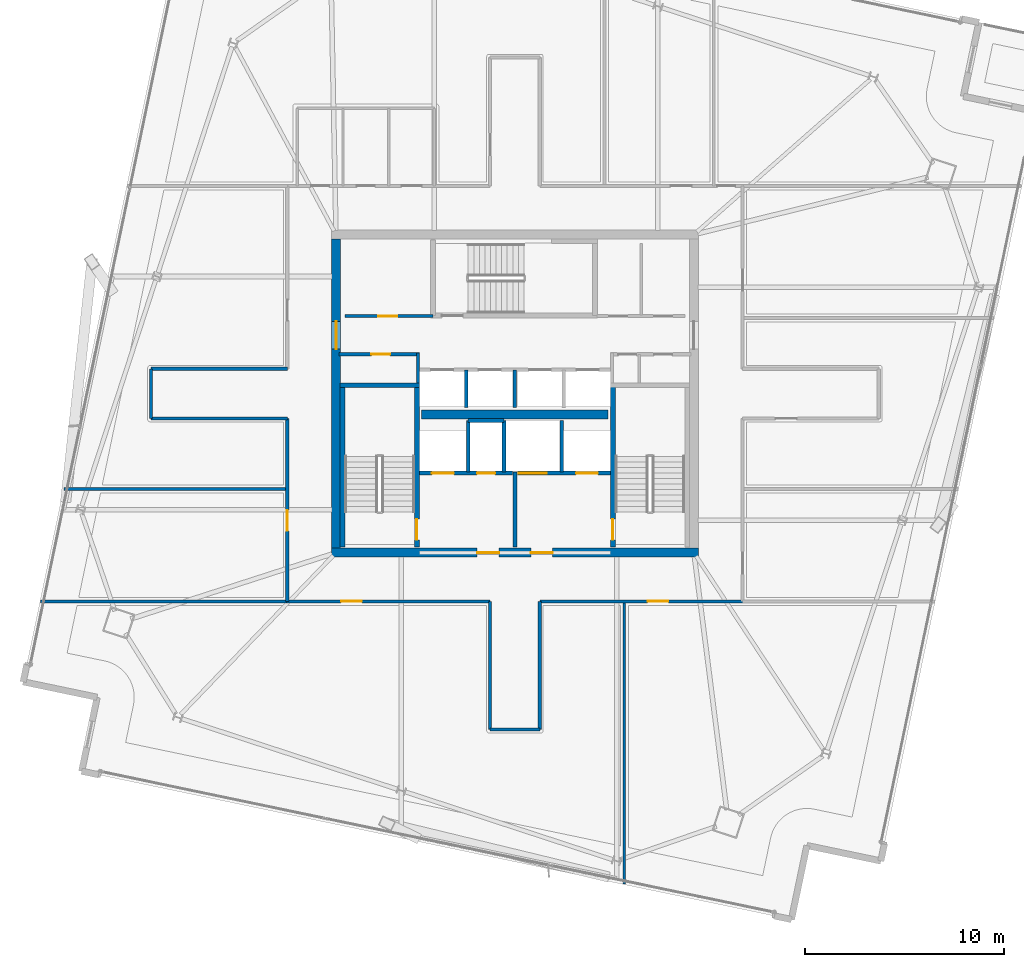
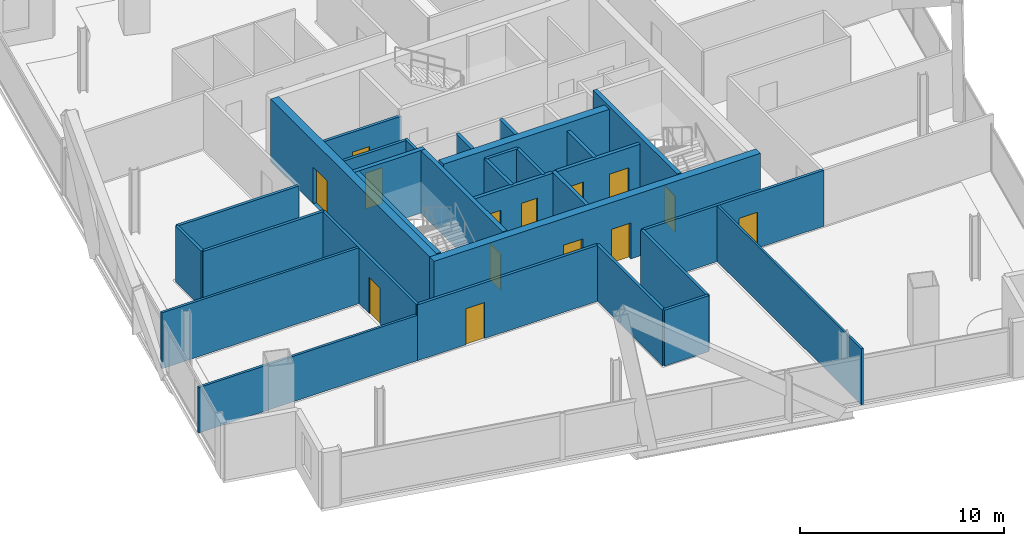
# One storey, part 18 of 24: 31 walls, 14 doors, 14 openings.
"""IFC4 building model written with IfcOpenShell, lengths in metres."""

from ifc_helpers import new_model, si_unit, direction, frame, frame_2d, origin, place, context, subcontext, project, spatial, rectangle, extrude, material, layer, layer_set, type_object, element, fill, save


model = new_model("IFC4")

# Units and contexts
model_context = context("Model", 3, precision=1e-05, world=origin(), true_north=direction((0.0, 1.0)))
body_context = subcontext(model_context, "Body", "Model", "MODEL_VIEW")
ifc_project = project(units=[si_unit("LENGTHUNIT", "METRE"), si_unit("AREAUNIT", "SQUARE_METRE"), si_unit("VOLUMEUNIT", "CUBIC_METRE"), si_unit("PLANEANGLEUNIT", "RADIAN"), si_unit("MASSUNIT", "GRAM", prefix="KILO")], contexts=[model_context])

# Site, building, storey
site_placement = place(None, origin())
site = spatial("IfcSite", under=ifc_project, at=site_placement, CompositionType="ELEMENT")
building_placement = place(site_placement, origin())
building = spatial("IfcBuilding", under=site, at=building_placement, Name="Haldenkirk Collegiate Tower", CompositionType="ELEMENT")
storey_placement = place(building_placement, frame((0.0, 0.0, 289.949951171875)))
storey = spatial("IfcBuildingStorey", under=building, at=storey_placement, Name="L73", CompositionType="ELEMENT", Elevation=289.949951171875)

# Wall, openings, doors
ifc_material_1 = material(Name="Concrete f'c 55 MPa", Category="concrete")
ifc_layer_1 = layer(ifc_material_1, 0.449951171875)
ifc_layer_set_1 = layer_set([ifc_layer_1], Name="Concrete f'c 55 MPa")
wall_type_1 = type_object("IfcWallType", Name="WL-CORE-450", PredefinedType="SHEAR", material=ifc_layer_set_1)
wall_1_placement = place(storey_placement, frame((26.77490234375, 18.0, 0.0), z_axis=(0.0, 0.0, 1.0), x_axis=(1.0, 0.0, 0.0)))
wall_1 = element("IfcWall", 1, at=wall_1_placement, inside=storey, type_object=wall_type_1, Name="L73 central core shear wall S", PredefinedType="SHEAR", context=body_context, shape_type="SweptSolid", body=[
    extrude(rectangle(XDim=18.4501953125, YDim=0.449951171875, at=frame_2d((9.22509765625, 0.0))), origin(), (0.0, 0.0, 1.0), 3.75),
])
opening_1_placement = place(wall_1_placement, frame((7.324951171875, 0.0, 0.0)))
opening_1 = element("IfcOpeningElement", 2, at=opening_1_placement, cuts=wall_1, Name="Opening D-02", PredefinedType="OPENING", context=body_context, shape_type="SweptSolid", body=[
    extrude(rectangle(XDim=1.10009765625, YDim=2.14990234375, at=frame_2d((0.550048828125, 1.074951171875))), frame((0.0, 0.23486328125, 0.0), z_axis=(0.0, -1.0, 0.0), x_axis=(1.0, 0.0, 0.0)), (0.0, 0.0, 1.0), 0.469970703125),
])
opening_2_placement = place(wall_1_placement, frame((10.02490234375, 0.0, 0.0)))
opening_2 = element("IfcOpeningElement", 3, at=opening_2_placement, cuts=wall_1, Name="Opening D-02", PredefinedType="OPENING", context=body_context, shape_type="SweptSolid", body=[
    extrude(rectangle(XDim=1.10009765625, YDim=2.14990234375, at=frame_2d((0.550048828125, 1.074951171875))), frame((0.0, 0.23486328125, 0.0), z_axis=(0.0, -1.0, 0.0), x_axis=(1.0, 0.0, 0.0)), (0.0, 0.0, 1.0), 0.469970703125),
])
ifc_material_2 = material(Name="Galvanized fire-rated hollow steel door", Category="steel")
ifc_layer_2 = layer(ifc_material_2, 0.06005859375)
ifc_layer_set_2 = layer_set([ifc_layer_2], Name="Galvanized fire-rated hollow steel door")
door_type_1 = type_object("IfcDoorType", Name="DR-STAIR-FD90-1100", OperationType="NOTDEFINED", PredefinedType="DOOR", material=ifc_layer_set_2)
door_1_placement = place(opening_1_placement, origin())
door_1 = element("IfcDoor", 4, at=door_1_placement, inside=storey, type_object=door_type_1, Name="L73 Firefighting Lobby 1 door", OperationType="SINGLE_SWING_LEFT", OverallHeight=2.14990234375, OverallWidth=1.10009765625, PredefinedType="DOOR", context=body_context, shape_type="SweptSolid", body=[
    extrude(rectangle(XDim=1.10009765625, YDim=2.14990234375, at=frame_2d((0.550048828125, 1.074951171875))), frame((0.0, 0.02490234375, 0.0), z_axis=(0.0, -1.0, 0.0), x_axis=(1.0, 0.0, 0.0)), (0.0, 0.0, 1.0), 0.050048828125),
])
fill(opening_1, door_1)
door_2_placement = place(opening_2_placement, origin())
door_2 = element("IfcDoor", 5, at=door_2_placement, inside=storey, type_object=door_type_1, Name="L73 Firefighting Lobby 2 door", OperationType="SINGLE_SWING_RIGHT", OverallHeight=2.14990234375, OverallWidth=1.10009765625, PredefinedType="DOOR", context=body_context, shape_type="SweptSolid", body=[
    extrude(rectangle(XDim=1.10009765625, YDim=2.14990234375, at=frame_2d((0.550048828125, 1.074951171875))), frame((0.0, 0.02490234375, 0.0), z_axis=(0.0, -1.0, 0.0), x_axis=(1.0, 0.0, 0.0)), (0.0, 0.0, 1.0), 0.050048828125),
])
fill(opening_2, door_2)

# Wall, opening, door
wall_2_placement = place(storey_placement, frame((27.0, 18.22509765625, 0.0), z_axis=(0.0, 0.0, 1.0), x_axis=(0.0, 1.0, 0.0)))
wall_2 = element("IfcWall", 6, at=wall_2_placement, inside=storey, type_object=wall_type_1, Name="L73 central core shear wall W", PredefinedType="SHEAR", context=body_context, shape_type="SweptSolid", body=[
    extrude(rectangle(XDim=15.5498046875, YDim=0.449951171875, at=frame_2d((7.77490234375, 0.0))), origin(), (0.0, 0.0, 1.0), 3.75),
])
opening_3_placement = place(wall_2_placement, frame((10.014892578125, 0.0, 0.0)))
opening_3 = element("IfcOpeningElement", 7, at=opening_3_placement, cuts=wall_2, Name="Opening D-03", PredefinedType="OPENING", context=body_context, shape_type="SweptSolid", body=[
    extrude(rectangle(XDim=1.39990234375, YDim=2.199951171875, at=frame_2d((0.699951171875, 1.10009765625))), frame((0.0, 0.23486328125, 0.0), z_axis=(0.0, -1.0, 0.0), x_axis=(1.0, 0.0, 0.0)), (0.0, 0.0, 1.0), 0.469970703125),
])
ifc_layer_3 = layer(ifc_material_2, 0.06005859375)
ifc_layer_set_3 = layer_set([ifc_layer_3], Name="Galvanized fire-rated hollow steel door")
door_type_2 = type_object("IfcDoorType", Name="DR-LOBBY-FD90-1400", OperationType="NOTDEFINED", PredefinedType="DOOR", material=ifc_layer_set_3)
door_3_placement = place(opening_3_placement, origin())
door_3 = element("IfcDoor", 8, at=door_3_placement, inside=storey, type_object=door_type_2, Name="L73 west lift lobby portal", OperationType="DOUBLE_DOOR_SINGLE_SWING", OverallHeight=2.199951171875, OverallWidth=1.39990234375, PredefinedType="DOOR", context=body_context, shape_type="SweptSolid", body=[
    extrude(rectangle(XDim=1.39990234375, YDim=2.199951171875, at=frame_2d((0.699951171875, 1.10009765625))), frame((0.0, 0.02490234375, 0.0), z_axis=(0.0, -1.0, 0.0), x_axis=(1.0, 0.0, 0.0)), (0.0, 0.0, 1.0), 0.050048828125),
])
fill(opening_3, door_3)

# Wall
wall_3_placement = place(storey_placement, frame((31.31005859375, 24.949951171875, 0.0), z_axis=(0.0, 0.0, 1.0), x_axis=(1.0, 0.0, 0.0)))
element("IfcWall", 9, at=wall_3_placement, inside=storey, type_object=wall_type_1, Name="L73 central core spine shear wall", PredefinedType="SHEAR", context=body_context, shape_type="SweptSolid", body=[
    extrude(rectangle(XDim=9.3798828125, YDim=0.449951171875, at=frame_2d((4.68994140625, 0.0))), origin(), (0.0, 0.0, 1.0), 3.75),
])

# Wall, opening, door
ifc_material_3 = material(Name="Acoustic fire-rated gypsum partition", Category="concrete")
ifc_layer_4 = layer(ifc_material_3, 0.159912109375)
ifc_layer_set_4 = layer_set([ifc_layer_4], Name="Acoustic fire-rated gypsum partition")
wall_type_2 = type_object("IfcWallType", Name="WL-INT-CORR-160", PredefinedType="PARTITIONING", material=ifc_layer_set_4)
wall_4_placement = place(storey_placement, frame((27.14990234375, 27.97998046875, 0.0), z_axis=(0.0, 0.0, 1.0), x_axis=(1.0, 0.0, 0.0)))
wall_4 = element("IfcWall", 10, at=wall_4_placement, inside=storey, type_object=wall_type_2, Name="L73 interior partition IW-L73-VCSW-N", PredefinedType="PARTITIONING", context=body_context, shape_type="SweptSolid", body=[
    extrude(rectangle(XDim=4.050048828125, YDim=0.159912109375, at=frame_2d((2.02490234375, 0.0))), origin(), (0.0, 0.0, 1.0), 3.340087890625),
])
opening_4_placement = place(wall_4_placement, frame((1.625, 0.0, 0.0)))
opening_4 = element("IfcOpeningElement", 11, at=opening_4_placement, cuts=wall_4, Name="Opening D-10", PredefinedType="OPENING", context=body_context, shape_type="SweptSolid", body=[
    extrude(rectangle(XDim=0.949951171875, YDim=2.14990234375, at=frame_2d((0.47509765625, 1.074951171875))), frame((0.0, 0.08984375, 0.0), z_axis=(0.0, -1.0, 0.0), x_axis=(1.0, 0.0, 0.0)), (0.0, 0.0, 1.0), 0.179931640625),
])
ifc_material_4 = material(Name="Solid-core architectural oak fire door", Category="wood")
ifc_layer_5 = layer(ifc_material_4, 0.06005859375)
ifc_layer_set_5 = layer_set([ifc_layer_5], Name="Solid-core architectural oak fire door")
door_type_3 = type_object("IfcDoorType", Name="DR-INT-FD60-950", OperationType="NOTDEFINED", PredefinedType="DOOR", material=ifc_layer_set_5)
door_4_placement = place(opening_4_placement, origin())
door_4 = element("IfcDoor", 12, at=door_4_placement, inside=storey, type_object=door_type_3, Name="L73 core tea pantry door", OperationType="SINGLE_SWING_RIGHT", OverallHeight=2.14990234375, OverallWidth=0.949951171875, PredefinedType="DOOR", context=body_context, shape_type="SweptSolid", body=[
    extrude(rectangle(XDim=0.949951171875, YDim=2.14990234375, at=frame_2d((0.47509765625, 1.074951171875))), frame((0.0, 0.02490234375, 0.0), z_axis=(0.0, -1.0, 0.0), x_axis=(1.0, 0.0, 0.0)), (0.0, 0.0, 1.0), 0.050048828125),
])
fill(opening_4, door_4)

# Wall
wall_5_placement = place(storey_placement, frame((31.1201171875, 26.5400390625, 0.0), z_axis=(0.0, 0.0, 1.0), x_axis=(0.0, 1.0, 0.0)))
element("IfcWall", 13, at=wall_5_placement, inside=storey, type_object=wall_type_2, Name="L73 interior partition IW-L73-VCSW-E", PredefinedType="PARTITIONING", context=body_context, shape_type="SweptSolid", body=[
    extrude(rectangle(XDim=1.510009765625, YDim=0.159912109375, at=frame_2d((0.7548828125, 0.0))), origin(), (0.0, 0.0, 1.0), 3.340087890625),
])

# Wall, opening, door
wall_6_placement = place(storey_placement, frame((27.449951171875, 29.89990234375, 0.0), z_axis=(0.0, 0.0, 1.0), x_axis=(1.0, 0.0, 0.0)))
wall_6 = element("IfcWall", 14, at=wall_6_placement, inside=storey, type_object=wall_type_2, Name="L73 interior partition IW-L73-PLS", PredefinedType="PARTITIONING", context=body_context, shape_type="SweptSolid", body=[
    extrude(rectangle(XDim=4.429931640625, YDim=0.159912109375, at=frame_2d((2.21484375, 0.0))), origin(), (0.0, 0.0, 1.0), 3.340087890625),
])
opening_5_placement = place(wall_6_placement, frame((1.675048828125, 0.0, 0.0)))
opening_5 = element("IfcOpeningElement", 15, at=opening_5_placement, cuts=wall_6, Name="Opening D-10", PredefinedType="OPENING", context=body_context, shape_type="SweptSolid", body=[
    extrude(rectangle(XDim=0.949951171875, YDim=2.14990234375, at=frame_2d((0.47509765625, 1.074951171875))), frame((0.0, 0.08984375, 0.0), z_axis=(0.0, -1.0, 0.0), x_axis=(1.0, 0.0, 0.0)), (0.0, 0.0, 1.0), 0.179931640625),
])
door_5_placement = place(opening_5_placement, origin())
door_5 = element("IfcDoor", 16, at=door_5_placement, inside=storey, type_object=door_type_3, Name="L73 archive door", OperationType="SINGLE_SWING_LEFT", OverallHeight=2.14990234375, OverallWidth=0.949951171875, PredefinedType="DOOR", context=body_context, shape_type="SweptSolid", body=[
    extrude(rectangle(XDim=0.949951171875, YDim=2.14990234375, at=frame_2d((0.47509765625, 1.074951171875))), frame((0.0, 0.02490234375, 0.0), z_axis=(0.0, -1.0, 0.0), x_axis=(1.0, 0.0, 0.0)), (0.0, 0.0, 1.0), 0.050048828125),
])
fill(opening_5, door_5)

wall_7_placement = place(storey_placement, frame((24.5, 15.550048828125, 0.0), z_axis=(0.0, 0.0, 1.0), x_axis=(1.0, 0.0, 0.0)))
wall_7 = element("IfcWall", 17, at=wall_7_placement, inside=storey, type_object=wall_type_2, Name="L73 interior partition IW-L73-CS1", PredefinedType="PARTITIONING", context=body_context, shape_type="SweptSolid", body=[
    extrude(rectangle(XDim=10.25, YDim=0.159912109375, at=frame_2d((5.125, 0.0))), origin(), (0.0, 0.0, 1.0), 3.340087890625),
])
opening_6_placement = place(wall_7_placement, frame((2.7548828125, 0.0, 0.0)))
opening_6 = element("IfcOpeningElement", 18, at=opening_6_placement, cuts=wall_7, Name="Opening D-09", PredefinedType="OPENING", context=body_context, shape_type="SweptSolid", body=[
    extrude(rectangle(XDim=1.050048828125, YDim=2.14990234375, at=frame_2d((0.52490234375, 1.074951171875))), frame((0.0, 0.08984375, 0.0), z_axis=(0.0, -1.0, 0.0), x_axis=(1.0, 0.0, 0.0)), (0.0, 0.0, 1.0), 0.179931640625),
])
ifc_layer_6 = layer(ifc_material_4, 0.06005859375)
ifc_layer_set_6 = layer_set([ifc_layer_6], Name="Solid-core architectural oak fire door")
door_type_4 = type_object("IfcDoorType", Name="DR-INT-FD60-1050", OperationType="NOTDEFINED", PredefinedType="DOOR", material=ifc_layer_set_6)
door_6_placement = place(opening_6_placement, origin())
door_6 = element("IfcDoor", 19, at=door_6_placement, inside=storey, type_object=door_type_4, Name="L73 Academic Press Bookshop 1 door", OperationType="SINGLE_SWING_LEFT", OverallHeight=2.14990234375, OverallWidth=1.050048828125, PredefinedType="DOOR", context=body_context, shape_type="SweptSolid", body=[
    extrude(rectangle(XDim=1.050048828125, YDim=2.14990234375, at=frame_2d((0.52490234375, 1.074951171875))), frame((0.0, 0.02490234375, 0.0), z_axis=(0.0, -1.0, 0.0), x_axis=(1.0, 0.0, 0.0)), (0.0, 0.0, 1.0), 0.050048828125),
])
fill(opening_6, door_6)

wall_8_placement = place(storey_placement, frame((37.25, 15.550048828125, 0.0), z_axis=(0.0, 0.0, 1.0), x_axis=(1.0, 0.0, 0.0)))
wall_8 = element("IfcWall", 20, at=wall_8_placement, inside=storey, type_object=wall_type_2, Name="L73 interior partition IW-L73-CS2", PredefinedType="PARTITIONING", context=body_context, shape_type="SweptSolid", body=[
    extrude(rectangle(XDim=10.25, YDim=0.159912109375, at=frame_2d((5.125, 0.0))), origin(), (0.0, 0.0, 1.0), 3.340087890625),
])
opening_7_placement = place(wall_8_placement, frame((5.4189453125, 0.0, 0.0)))
opening_7 = element("IfcOpeningElement", 21, at=opening_7_placement, cuts=wall_8, Name="Opening D-09", PredefinedType="OPENING", context=body_context, shape_type="SweptSolid", body=[
    extrude(rectangle(XDim=1.050048828125, YDim=2.14990234375, at=frame_2d((0.52490234375, 1.074951171875))), frame((0.0, 0.08984375, 0.0), z_axis=(0.0, -1.0, 0.0), x_axis=(1.0, 0.0, 0.0)), (0.0, 0.0, 1.0), 0.179931640625),
])
door_7_placement = place(opening_7_placement, origin())
door_7 = element("IfcDoor", 22, at=door_7_placement, inside=storey, type_object=door_type_4, Name="L73 Campus Design Shop 2 door", OperationType="SINGLE_SWING_RIGHT", OverallHeight=2.14990234375, OverallWidth=1.050048828125, PredefinedType="DOOR", context=body_context, shape_type="SweptSolid", body=[
    extrude(rectangle(XDim=1.050048828125, YDim=2.14990234375, at=frame_2d((0.52490234375, 1.074951171875))), frame((0.0, 0.02490234375, 0.0), z_axis=(0.0, -1.0, 0.0), x_axis=(1.0, 0.0, 0.0)), (0.0, 0.0, 1.0), 0.050048828125),
])
fill(opening_7, door_7)

wall_9_placement = place(storey_placement, frame((24.550048828125, 15.550048828125, 0.0), z_axis=(0.0, 0.0, 1.0), x_axis=(0.0, 1.0, 0.0)))
wall_9 = element("IfcWall", 23, at=wall_9_placement, inside=storey, type_object=wall_type_2, Name="L73 interior partition IW-L73-CW1", PredefinedType="PARTITIONING", context=body_context, shape_type="SweptSolid", body=[
    extrude(rectangle(XDim=9.199951171875, YDim=0.159912109375, at=frame_2d((4.60009765625, 0.0))), origin(), (0.0, 0.0, 1.0), 3.340087890625),
])
opening_8_placement = place(wall_9_placement, frame((3.54296875, 0.0, 0.0)))
opening_8 = element("IfcOpeningElement", 24, at=opening_8_placement, cuts=wall_9, Name="Opening D-09", PredefinedType="OPENING", context=body_context, shape_type="SweptSolid", body=[
    extrude(rectangle(XDim=1.050048828125, YDim=2.14990234375, at=frame_2d((0.52490234375, 1.074951171875))), frame((0.0, 0.08984375, 0.0), z_axis=(0.0, -1.0, 0.0), x_axis=(1.0, 0.0, 0.0)), (0.0, 0.0, 1.0), 0.179931640625),
])
door_8_placement = place(opening_8_placement, origin())
door_8 = element("IfcDoor", 25, at=door_8_placement, inside=storey, type_object=door_type_4, Name="L73 Exhibition Gallery Studio 6 door", OperationType="SINGLE_SWING_RIGHT", OverallHeight=2.14990234375, OverallWidth=1.050048828125, PredefinedType="DOOR", context=body_context, shape_type="SweptSolid", body=[
    extrude(rectangle(XDim=1.050048828125, YDim=2.14990234375, at=frame_2d((0.52490234375, 1.074951171875))), frame((0.0, 0.02490234375, 0.0), z_axis=(0.0, -1.0, 0.0), x_axis=(1.0, 0.0, 0.0)), (0.0, 0.0, 1.0), 0.050048828125),
])
fill(opening_8, door_8)

# Walls
for number, where, z_axis, x_axis, name in (
    (26, (34.75, 9.10009765625, 0.0), (0.0, 0.0, 1.0), (0.0, 1.0, 0.0), "L73 interior partition IW-L73-SPW"),
    (27, (37.25, 9.10009765625, 0.0), (0.0, 0.0, 1.0), (0.0, 1.0, 0.0), "L73 interior partition IW-L73-SPE"),
):
    element("IfcWall", number, at=place(storey_placement, frame(where, z_axis=z_axis, x_axis=x_axis)), inside=storey, type_object=wall_type_2, Name=name, PredefinedType="PARTITIONING", context=body_context, shape_type="SweptSolid", body=[
        extrude(rectangle(XDim=6.449951171875, YDim=0.159912109375, at=frame_2d((3.22509765625, 0.0))), origin(), (0.0, 0.0, 1.0), 3.340087890625),
    ])
wall_10_placement = place(storey_placement, frame((34.75, 9.10009765625, 0.0), z_axis=(0.0, 0.0, 1.0), x_axis=(1.0, 0.0, 0.0)))
element("IfcWall", 28, at=wall_10_placement, inside=storey, type_object=wall_type_2, Name="L73 interior partition IW-L73-SPS", PredefinedType="PARTITIONING", context=body_context, shape_type="SweptSolid", body=[
    extrude(rectangle(XDim=2.5, YDim=0.159912109375, at=frame_2d((1.25, 0.0))), origin(), (0.0, 0.0, 1.0), 3.340087890625),
])
for number, where, z_axis, x_axis, name in (
    (29, (17.699951171875, 24.75, 0.0), (0.0, 0.0, 1.0), (1.0, 0.0, 0.0), "L73 interior partition IW-L73-WPS"),
    (30, (17.699951171875, 27.25, 0.0), (0.0, 0.0, 1.0), (1.0, 0.0, 0.0), "L73 interior partition IW-L73-WPN"),
):
    element("IfcWall", number, at=place(storey_placement, frame(where, z_axis=z_axis, x_axis=x_axis)), inside=storey, type_object=wall_type_2, Name=name, PredefinedType="PARTITIONING", context=body_context, shape_type="SweptSolid", body=[
        extrude(rectangle(XDim=6.85009765625, YDim=0.159912109375, at=frame_2d((3.425048828125, 0.0))), origin(), (0.0, 0.0, 1.0), 3.340087890625),
    ])
wall_11_placement = place(storey_placement, frame((17.699951171875, 24.75, 0.0), z_axis=(0.0, 0.0, 1.0), x_axis=(0.0, 1.0, 0.0)))
element("IfcWall", 31, at=wall_11_placement, inside=storey, type_object=wall_type_2, Name="L73 interior partition IW-L73-WPW", PredefinedType="PARTITIONING", context=body_context, shape_type="SweptSolid", body=[
    extrude(rectangle(XDim=2.5, YDim=0.159912109375, at=frame_2d((1.25, 0.0))), origin(), (0.0, 0.0, 1.0), 3.340087890625),
])
ifc_layer_7 = layer(ifc_material_3, 0.139892578125)
ifc_layer_set_7 = layer_set([ifc_layer_7], Name="Acoustic fire-rated gypsum partition")
wall_type_3 = type_object("IfcWallType", Name="WL-INT-DIV-140", PredefinedType="PARTITIONING", material=ifc_layer_set_7)
wall_12_placement = place(storey_placement, frame((12.14892578125, 15.550048828125, 0.0), z_axis=(0.0, 0.0, 1.0), x_axis=(1.0, 0.0, 0.0)))
element("IfcWall", 32, at=wall_12_placement, inside=storey, type_object=wall_type_3, Name="L73 interior partition IW-L73-BWS", PredefinedType="PARTITIONING", context=body_context, shape_type="SweptSolid", body=[
    extrude(rectangle(XDim=12.401123046875, YDim=0.139892578125, at=frame_2d((6.20068359375, 0.0))), origin(), (0.0, 0.0, 1.0), 2.718017578125),
])
wall_13_placement = place(storey_placement, frame((13.329345703125, 21.199951171875, 0.0), z_axis=(0.0, 0.0, 1.0), x_axis=(1.0, 0.0, 0.0)))
element("IfcWall", 33, at=wall_13_placement, inside=storey, type_object=wall_type_3, Name="L73 interior partition IW-L73-RW1", PredefinedType="PARTITIONING", context=body_context, shape_type="SweptSolid", body=[
    extrude(rectangle(XDim=11.220703125, YDim=0.139892578125, at=frame_2d((5.6103515625, 0.0))), origin(), (0.0, 0.0, 1.0), 3.340087890625),
])
ifc_material_5 = material(Name="Fire-rated gypsum shaftboard assembly", Category="concrete")
ifc_layer_8 = layer(ifc_material_5, 0.179931640625)
ifc_layer_set_8 = layer_set([ifc_layer_8], Name="Fire-rated gypsum shaftboard assembly")
wall_type_4 = type_object("IfcWallType", Name="WL-INT-SHAFT-180", PredefinedType="PARTITIONING", material=ifc_layer_set_8)
for number, where, z_axis, x_axis, name in (
    (34, (33.64990234375, 22.050048828125, 0.0), (0.0, 0.0, 1.0), (0.0, 1.0, 0.0), "L73 interior partition IW-L73-FL1E"),
    (35, (35.449951171875, 22.050048828125, 0.0), (0.0, 0.0, 1.0), (0.0, 1.0, 0.0), "L73 interior partition IW-L73-GL1W"),
):
    element("IfcWall", number, at=place(storey_placement, frame(where, z_axis=z_axis, x_axis=x_axis)), inside=storey, type_object=wall_type_4, Name=name, PredefinedType="PARTITIONING", context=body_context, shape_type="SweptSolid", body=[
        extrude(rectangle(XDim=2.599853515625, YDim=0.179931640625, at=frame_2d((1.2998046875, 0.0))), origin(), (0.0, 0.0, 1.0), 3.340087890625),
    ])
wall_14_placement = place(storey_placement, frame((33.64990234375, 24.64990234375, 0.0), z_axis=(0.0, 0.0, 1.0), x_axis=(1.0, 0.0, 0.0)))
element("IfcWall", 36, at=wall_14_placement, inside=storey, type_object=wall_type_4, Name="L73 interior partition IW-L73-RSRN", PredefinedType="PARTITIONING", context=body_context, shape_type="SweptSolid", body=[
    extrude(rectangle(XDim=1.800048828125, YDim=0.179931640625, at=frame_2d((0.89990234375, 0.0))), origin(), (0.0, 0.0, 1.0), 3.340087890625),
])
wall_15_placement = place(storey_placement, frame((38.35009765625, 22.050048828125, 0.0), z_axis=(0.0, 0.0, 1.0), x_axis=(0.0, 1.0, 0.0)))
element("IfcWall", 37, at=wall_15_placement, inside=storey, type_object=wall_type_4, Name="L73 interior partition IW-L73-GL1E", PredefinedType="PARTITIONING", context=body_context, shape_type="SweptSolid", body=[
    extrude(rectangle(XDim=2.599853515625, YDim=0.179931640625, at=frame_2d((1.2998046875, 0.0))), origin(), (0.0, 0.0, 1.0), 3.340087890625),
])
for number, where, z_axis, x_axis, name in (
    (38, (33.5400390625, 25.300048828125, 0.0), (0.0, 0.0, 1.0), (0.0, 1.0, 0.0), "L73 interior partition IW-L73-PHV1"),
    (39, (36.0, 25.300048828125, 0.0), (0.0, 0.0, 1.0), (0.0, 1.0, 0.0), "L73 interior partition IW-L73-PHV2"),
):
    element("IfcWall", number, at=place(storey_placement, frame(where, z_axis=z_axis, x_axis=x_axis)), inside=storey, type_object=wall_type_4, Name=name, PredefinedType="PARTITIONING", context=body_context, shape_type="SweptSolid", body=[
        extrude(rectangle(XDim=1.89990234375, YDim=0.179931640625, at=frame_2d((0.949951171875, 0.0))), origin(), (0.0, 0.0, 1.0), 3.340087890625),
    ])
ifc_layer_9 = layer(ifc_material_5, 0.199951171875)
ifc_layer_set_9 = layer_set([ifc_layer_9], Name="Fire-rated gypsum shaftboard assembly")
wall_type_5 = type_object("IfcWallType", Name="WL-INT-SHAFT-200", PredefinedType="PARTITIONING", material=ifc_layer_set_9)
wall_16_placement = place(storey_placement, frame((36.0, 18.280029296875, 0.0), z_axis=(0.0, 0.0, 1.0), x_axis=(0.0, 1.0, 0.0)))
element("IfcWall", 40, at=wall_16_placement, inside=storey, type_object=wall_type_5, Name="L73 interior partition IW-L73-FFLM", PredefinedType="PARTITIONING", context=body_context, shape_type="SweptSolid", body=[
    extrude(rectangle(XDim=3.77001953125, YDim=0.199951171875, at=frame_2d((1.885009765625, 0.0))), origin(), (0.0, 0.0, 1.0), 3.340087890625),
])

# Wall, openings, doors
wall_17_placement = place(storey_placement, frame((31.18994140625, 22.0, 0.0), z_axis=(0.0, 0.0, 1.0), x_axis=(1.0, 0.0, 0.0)))
wall_17 = element("IfcWall", 41, at=wall_17_placement, inside=storey, type_object=wall_type_5, Name="L73 interior partition IW-L73-FFL1N", PredefinedType="PARTITIONING", context=body_context, shape_type="SweptSolid", body=[
    extrude(rectangle(XDim=4.68994140625, YDim=0.199951171875, at=frame_2d((2.344970703125, 0.0))), origin(), (0.0, 0.0, 1.0), 3.340087890625),
])
opening_9_placement = place(wall_17_placement, frame((2.909912109375, 0.0, 0.0)))
opening_9 = element("IfcOpeningElement", 42, at=opening_9_placement, cuts=wall_17, Name="Opening D-06", PredefinedType="OPENING", context=body_context, shape_type="SweptSolid", body=[
    extrude(rectangle(XDim=0.89990234375, YDim=2.14990234375, at=frame_2d((0.449951171875, 1.074951171875))), frame((0.0, 0.10986328125, 0.0), z_axis=(0.0, -1.0, 0.0), x_axis=(1.0, 0.0, 0.0)), (0.0, 0.0, 1.0), 0.219970703125),
])
opening_10_placement = place(wall_17_placement, frame((0.635009765625, 0.0, 0.0)))
opening_10 = element("IfcOpeningElement", 43, at=opening_10_placement, cuts=wall_17, Name="Opening LD-12", PredefinedType="OPENING", context=body_context, shape_type="SweptSolid", body=[
    extrude(rectangle(XDim=1.10009765625, YDim=2.14990234375, at=frame_2d((0.550048828125, 1.074951171875))), frame((0.0, 0.10986328125, 0.0), z_axis=(0.0, -1.0, 0.0), x_axis=(1.0, 0.0, 0.0)), (0.0, 0.0, 1.0), 0.219970703125),
])
ifc_layer_10 = layer(ifc_material_2, 0.06005859375)
ifc_layer_set_10 = layer_set([ifc_layer_10], Name="Galvanized fire-rated hollow steel door")
door_type_5 = type_object("IfcDoorType", Name="DR-INT-FD90-900", OperationType="NOTDEFINED", PredefinedType="DOOR", material=ifc_layer_set_10)
door_9_placement = place(opening_9_placement, origin())
door_9 = element("IfcDoor", 44, at=door_9_placement, inside=storey, type_object=door_type_5, Name="L73 electrical riser door", OperationType="SINGLE_SWING_LEFT", OverallHeight=2.14990234375, OverallWidth=0.89990234375, PredefinedType="DOOR", context=body_context, shape_type="SweptSolid", body=[
    extrude(rectangle(XDim=0.89990234375, YDim=2.14990234375, at=frame_2d((0.449951171875, 1.074951171875))), frame((0.0, 0.02490234375, 0.0), z_axis=(0.0, -1.0, 0.0), x_axis=(1.0, 0.0, 0.0)), (0.0, 0.0, 1.0), 0.050048828125),
])
fill(opening_9, door_9)
ifc_material_6 = material(Name="Brushed architectural stainless steel", Category="steel")
ifc_layer_11 = layer(ifc_material_6, 0.06005859375)
ifc_layer_set_11 = layer_set([ifc_layer_11], Name="Brushed architectural stainless steel")
door_type_6 = type_object("IfcDoorType", Name="LD-FIRE-1100", OperationType="NOTDEFINED", PredefinedType="DOOR", material=ifc_layer_set_11)
door_10_placement = place(opening_10_placement, origin())
door_10 = element("IfcDoor", 45, at=door_10_placement, inside=storey, type_object=door_type_6, Name="L73 Elevator FL1 sliding landing door", OperationType="SLIDING_TO_LEFT", OverallHeight=2.14990234375, OverallWidth=1.10009765625, PredefinedType="DOOR", context=body_context, shape_type="SweptSolid", body=[
    extrude(rectangle(XDim=1.10009765625, YDim=2.14990234375, at=frame_2d((0.550048828125, 1.074951171875))), frame((0.0, 0.02490234375, 0.0), z_axis=(0.0, -1.0, 0.0), x_axis=(1.0, 0.0, 0.0)), (0.0, 0.0, 1.0), 0.050048828125),
])
fill(opening_10, door_10)

wall_18_placement = place(storey_placement, frame((36.1201171875, 22.0, 0.0), z_axis=(0.0, 0.0, 1.0), x_axis=(1.0, 0.0, 0.0)))
wall_18 = element("IfcWall", 46, at=wall_18_placement, inside=storey, type_object=wall_type_5, Name="L73 interior partition IW-L73-FFL2N", PredefinedType="PARTITIONING", context=body_context, shape_type="SweptSolid", body=[
    extrude(rectangle(XDim=4.68994140625, YDim=0.199951171875, at=frame_2d((2.344970703125, 0.0))), origin(), (0.0, 0.0, 1.0), 3.340087890625),
])
opening_11_placement = place(wall_18_placement, frame((2.955078125, 0.0, 0.0)))
opening_11 = element("IfcOpeningElement", 47, at=opening_11_placement, cuts=wall_18, Name="Opening LD-12", PredefinedType="OPENING", context=body_context, shape_type="SweptSolid", body=[
    extrude(rectangle(XDim=1.10009765625, YDim=2.14990234375, at=frame_2d((0.550048828125, 1.074951171875))), frame((0.0, 0.10986328125, 0.0), z_axis=(0.0, -1.0, 0.0), x_axis=(1.0, 0.0, 0.0)), (0.0, 0.0, 1.0), 0.219970703125),
])
opening_12_placement = place(wall_18_placement, frame((0.080078125, 0.0, 0.0)))
opening_12 = element("IfcOpeningElement", 48, at=opening_12_placement, cuts=wall_18, Name="Opening LD-13", PredefinedType="OPENING", context=body_context, shape_type="SweptSolid", body=[
    extrude(rectangle(XDim=1.39990234375, YDim=2.199951171875, at=frame_2d((0.699951171875, 1.10009765625))), frame((0.0, 0.10986328125, 0.0), z_axis=(0.0, -1.0, 0.0), x_axis=(1.0, 0.0, 0.0)), (0.0, 0.0, 1.0), 0.219970703125),
])
door_11_placement = place(opening_11_placement, origin())
door_11 = element("IfcDoor", 49, at=door_11_placement, inside=storey, type_object=door_type_6, Name="L73 Elevator FL2 sliding landing door", OperationType="SLIDING_TO_LEFT", OverallHeight=2.14990234375, OverallWidth=1.10009765625, PredefinedType="DOOR", context=body_context, shape_type="SweptSolid", body=[
    extrude(rectangle(XDim=1.10009765625, YDim=2.14990234375, at=frame_2d((0.550048828125, 1.074951171875))), frame((0.0, 0.02490234375, 0.0), z_axis=(0.0, -1.0, 0.0), x_axis=(1.0, 0.0, 0.0)), (0.0, 0.0, 1.0), 0.050048828125),
])
fill(opening_11, door_11)
ifc_layer_12 = layer(ifc_material_6, 0.06005859375)
ifc_layer_set_12 = layer_set([ifc_layer_12], Name="Brushed architectural stainless steel")
door_type_7 = type_object("IfcDoorType", Name="LD-GOODS-1400", OperationType="NOTDEFINED", PredefinedType="DOOR", material=ifc_layer_set_12)
door_12_placement = place(opening_12_placement, origin())
door_12 = element("IfcDoor", 50, at=door_12_placement, inside=storey, type_object=door_type_7, Name="L73 Elevator GL1 sliding landing door", OperationType="SLIDING_TO_LEFT", OverallHeight=2.199951171875, OverallWidth=1.39990234375, PredefinedType="DOOR", context=body_context, shape_type="SweptSolid", body=[
    extrude(rectangle(XDim=1.39990234375, YDim=2.199951171875, at=frame_2d((0.699951171875, 1.10009765625))), frame((0.0, 0.02490234375, 0.0), z_axis=(0.0, -1.0, 0.0), x_axis=(1.0, 0.0, 0.0)), (0.0, 0.0, 1.0), 0.050048828125),
])
fill(opening_12, door_12)

# Wall
ifc_layer_13 = layer(ifc_material_3, 0.1201171875)
ifc_layer_set_13 = layer_set([ifc_layer_13], Name="Acoustic fire-rated gypsum partition")
wall_type_6 = type_object("IfcWallType", Name="WL-INT-WET-120", PredefinedType="PARTITIONING", material=ifc_layer_set_13)
wall_19_placement = place(storey_placement, frame((41.5, 1.34423828125, 0.0), z_axis=(0.0, 0.0, 1.0), x_axis=(0.0, 1.0, 0.0)))
element("IfcWall", 51, at=wall_19_placement, inside=storey, type_object=wall_type_6, Name="L73 interior partition IW-L73-RS1", PredefinedType="PARTITIONING", context=body_context, shape_type="SweptSolid", body=[
    extrude(rectangle(XDim=14.205810546875, YDim=0.1201171875, at=frame_2d((7.10302734375, 0.0))), origin(), (0.0, 0.0, 1.0), 3.340087890625),
])

# Wall, opening, door
ifc_layer_14 = layer(ifc_material_1, 0.239990234375)
ifc_layer_set_14 = layer_set([ifc_layer_14], Name="Concrete f'c 55 MPa")
wall_type_7 = type_object("IfcWallType", Name="WL-SHAFT-240", PredefinedType="SHEAR", material=ifc_layer_set_14)
wall_20_placement = place(storey_placement, frame((31.070068359375, 18.280029296875, 0.0), z_axis=(0.0, 0.0, 1.0), x_axis=(0.0, 1.0, 0.0)))
wall_20 = element("IfcWall", 52, at=wall_20_placement, inside=storey, type_object=wall_type_7, Name="L73 stair shaft shear wall SW-L73-ST1E", PredefinedType="SHEAR", context=body_context, shape_type="SweptSolid", body=[
    extrude(rectangle(XDim=8.260009765625, YDim=0.239990234375, at=frame_2d((4.1298828125, 0.0))), origin(), (0.0, 0.0, 1.0), 3.75),
])
opening_13_placement = place(wall_20_placement, frame((0.364990234375, 0.0, 0.0)))
opening_13 = element("IfcOpeningElement", 53, at=opening_13_placement, cuts=wall_20, Name="Opening D-01", PredefinedType="OPENING", context=body_context, shape_type="SweptSolid", body=[
    extrude(rectangle(XDim=1.050048828125, YDim=2.14990234375, at=frame_2d((0.52490234375, 1.074951171875))), frame((0.0, 0.1298828125, 0.0), z_axis=(0.0, -1.0, 0.0), x_axis=(1.0, 0.0, 0.0)), (0.0, 0.0, 1.0), 0.260009765625),
])
ifc_layer_15 = layer(ifc_material_2, 0.06005859375)
ifc_layer_set_15 = layer_set([ifc_layer_15], Name="Galvanized fire-rated hollow steel door")
door_type_8 = type_object("IfcDoorType", Name="DR-STAIR-FD90-1050", OperationType="NOTDEFINED", PredefinedType="DOOR", material=ifc_layer_set_15)
door_13_placement = place(opening_13_placement, origin())
door_13 = element("IfcDoor", 54, at=door_13_placement, inside=storey, type_object=door_type_8, Name="L73 Stair 1 door", OperationType="SINGLE_SWING_LEFT", OverallHeight=2.14990234375, OverallWidth=1.050048828125, PredefinedType="DOOR", context=body_context, shape_type="SweptSolid", body=[
    extrude(rectangle(XDim=1.050048828125, YDim=2.14990234375, at=frame_2d((0.52490234375, 1.074951171875))), frame((0.0, 0.02490234375, 0.0), z_axis=(0.0, -1.0, 0.0), x_axis=(1.0, 0.0, 0.0)), (0.0, 0.0, 1.0), 0.050048828125),
])
fill(opening_13, door_13)

# Walls
wall_21_placement = place(storey_placement, frame((27.2099609375, 26.419921875, 0.0), z_axis=(0.0, 0.0, 1.0), x_axis=(1.0, 0.0, 0.0)))
element("IfcWall", 55, at=wall_21_placement, inside=storey, type_object=wall_type_7, Name="L73 stair shaft shear wall SW-L73-ST1N", PredefinedType="SHEAR", context=body_context, shape_type="SweptSolid", body=[
    extrude(rectangle(XDim=3.97998046875, YDim=0.239990234375, at=frame_2d((1.989990234375, 0.0))), origin(), (0.0, 0.0, 1.0), 3.75),
])
wall_22_placement = place(storey_placement, frame((27.330078125, 18.280029296875, 0.0), z_axis=(0.0, 0.0, 1.0), x_axis=(0.0, 1.0, 0.0)))
element("IfcWall", 56, at=wall_22_placement, inside=storey, type_object=wall_type_7, Name="L73 stair shaft shear wall SW-L73-ST1W", PredefinedType="SHEAR", context=body_context, shape_type="SweptSolid", body=[
    extrude(rectangle(XDim=8.260009765625, YDim=0.239990234375, at=frame_2d((4.1298828125, 0.0))), origin(), (0.0, 0.0, 1.0), 3.75),
])

# Wall, opening, door
wall_23_placement = place(storey_placement, frame((40.929931640625, 18.280029296875, 0.0), z_axis=(0.0, 0.0, 1.0), x_axis=(0.0, 1.0, 0.0)))
wall_23 = element("IfcWall", 57, at=wall_23_placement, inside=storey, type_object=wall_type_7, Name="L73 stair shaft shear wall SW-L73-ST2W", PredefinedType="SHEAR", context=body_context, shape_type="SweptSolid", body=[
    extrude(rectangle(XDim=8.260009765625, YDim=0.239990234375, at=frame_2d((4.1298828125, 0.0))), origin(), (0.0, 0.0, 1.0), 3.75),
])
opening_14_placement = place(wall_23_placement, frame((0.364990234375, 0.0, 0.0)))
opening_14 = element("IfcOpeningElement", 58, at=opening_14_placement, cuts=wall_23, Name="Opening D-01", PredefinedType="OPENING", context=body_context, shape_type="SweptSolid", body=[
    extrude(rectangle(XDim=1.050048828125, YDim=2.14990234375, at=frame_2d((0.52490234375, 1.074951171875))), frame((0.0, 0.1298828125, 0.0), z_axis=(0.0, -1.0, 0.0), x_axis=(1.0, 0.0, 0.0)), (0.0, 0.0, 1.0), 0.260009765625),
])
door_14_placement = place(opening_14_placement, origin())
door_14 = element("IfcDoor", 59, at=door_14_placement, inside=storey, type_object=door_type_8, Name="L73 Stair 2 door", OperationType="SINGLE_SWING_RIGHT", OverallHeight=2.14990234375, OverallWidth=1.050048828125, PredefinedType="DOOR", context=body_context, shape_type="SweptSolid", body=[
    extrude(rectangle(XDim=1.050048828125, YDim=2.14990234375, at=frame_2d((0.52490234375, 1.074951171875))), frame((0.0, 0.02490234375, 0.0), z_axis=(0.0, -1.0, 0.0), x_axis=(1.0, 0.0, 0.0)), (0.0, 0.0, 1.0), 0.050048828125),
])
fill(opening_14, door_14)

save(model, "model.ifc")
